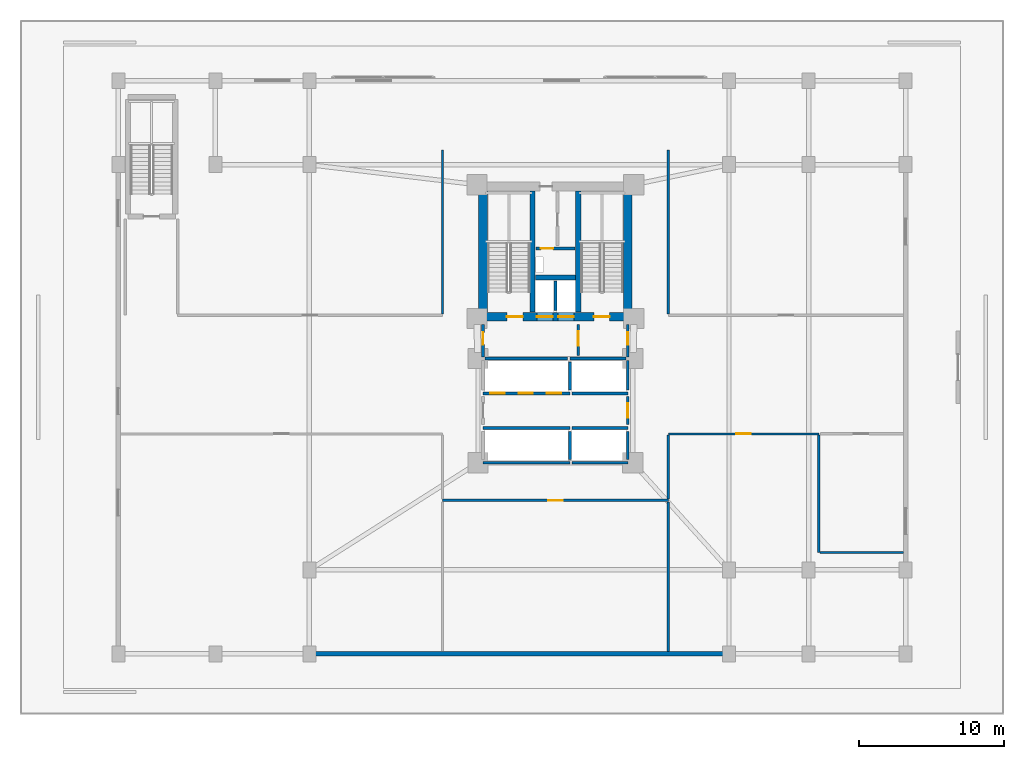
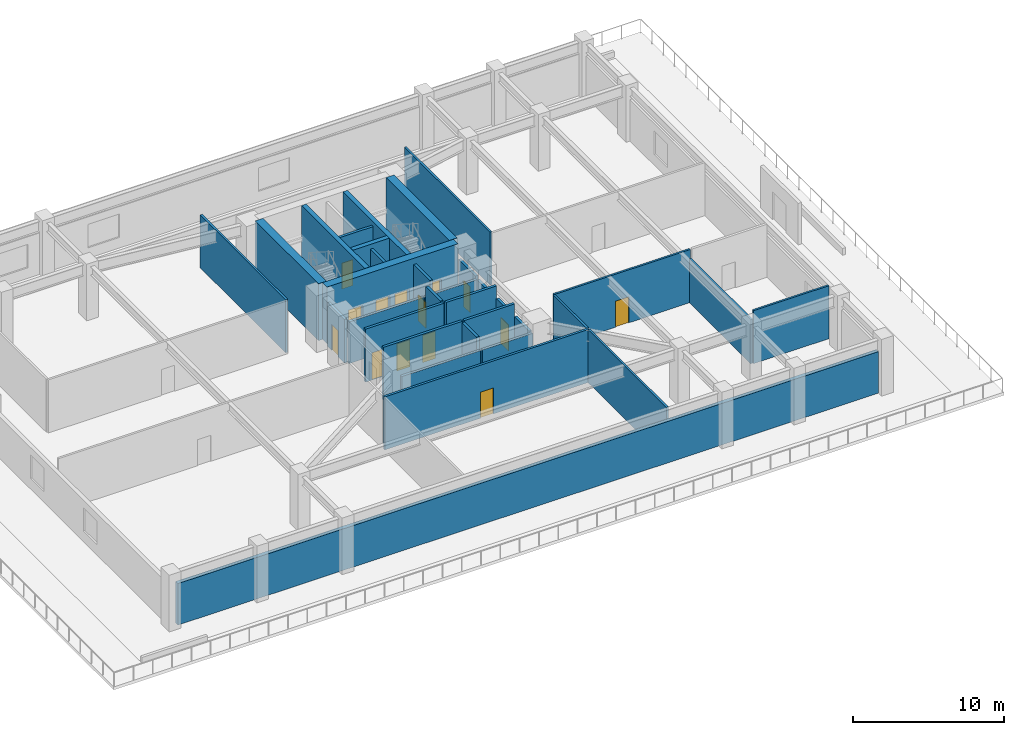
# One storey, part 6 of 10: 33 walls, 14 doors, 14 openings.
"""IFC4 building model written with IfcOpenShell, lengths in metres."""

from ifc_helpers import new_model, si_unit, direction, frame, frame_2d, origin, place, context, subcontext, project, spatial, rectangle, extrude, material, layer, layer_set, type_object, element, fill, save


model = new_model("IFC4")

# Units and contexts
model_context = context("Model", 3, precision=1e-05, world=origin(), true_north=direction((0.0, 1.0)))
body_context = subcontext(model_context, "Body", "Model", "MODEL_VIEW")
ifc_project = project(units=[si_unit("LENGTHUNIT", "METRE"), si_unit("AREAUNIT", "SQUARE_METRE"), si_unit("VOLUMEUNIT", "CUBIC_METRE"), si_unit("PLANEANGLEUNIT", "RADIAN"), si_unit("MASSUNIT", "GRAM", prefix="KILO")], contexts=[model_context])

# Site, building, storey
site_placement = place(None, origin())
site = spatial("IfcSite", under=ifc_project, at=site_placement, CompositionType="ELEMENT")
building_placement = place(site_placement, origin())
building = spatial("IfcBuilding", under=site, at=building_placement, Name="Varnakorn Sky Granary", CompositionType="ELEMENT")
storey_placement = place(building_placement, frame((0.0, 0.0, 9.199951171875)))
storey = spatial("IfcBuildingStorey", under=building, at=storey_placement, Name="L02", CompositionType="ELEMENT", Elevation=9.199951171875)

# Walls
ifc_material_1 = material(Name="Concrete C50/60", Category="concrete")
ifc_layer_1 = layer(ifc_material_1, 0.35009765625, Name="Concrete C50/60")
ifc_layer_set_1 = layer_set([ifc_layer_1], Name="Concrete C50/60")
wall_type_1 = type_object("IfcWallType", Name="WT-CW-INT-350", PredefinedType="SHEAR", material=ifc_layer_set_1)
for number, where, z_axis, x_axis, name in (
    (1, (1.419921875, 3.81005859375, 0.0), (0.0, 0.0, 1.0), (0.0, 1.0, 0.0), "Stair ST-1 Core Wall L02"),
    (2, (4.580078125, 3.81005859375, 0.0), (0.0, 0.0, 1.0), (0.0, 1.0, 0.0), "Stair ST-2 Core Wall L02"),
):
    element("IfcWall", number, at=place(storey_placement, frame(where, z_axis=z_axis, x_axis=x_axis)), inside=storey, type_object=wall_type_1, Name=name, PredefinedType="SHEAR", context=body_context, shape_type="SweptSolid", body=[
        extrude(rectangle(XDim=8.3798828125, YDim=0.35009765625, at=frame_2d((4.18994140625, 0.0))), origin(), (0.0, 0.0, 1.0), 4.592041015625),
    ])
wall_1_placement = place(storey_placement, frame((1.610107421875, 6.199951171875, 0.0), z_axis=(0.0, 0.0, 1.0), x_axis=(1.0, 0.0, 0.0)))
element("IfcWall", 3, at=wall_1_placement, inside=storey, type_object=wall_type_1, Name="Core Lift Shaft Cross Wall L02", PredefinedType="SHEAR", context=body_context, shape_type="SweptSolid", body=[
    extrude(rectangle(XDim=2.77978515625, YDim=0.35009765625, at=frame_2d((1.389892578125, 0.0))), origin(), (0.0, 0.0, 1.0), 4.592041015625),
])

# Wall, openings, doors
ifc_material_2 = material(Name="Concrete C60/75", Category="concrete")
ifc_layer_2 = layer(ifc_material_2, 0.60009765625, Name="Concrete C60/75")
ifc_layer_set_2 = layer_set([ifc_layer_2], Name="Concrete C60/75")
wall_type_2 = type_object("IfcWallType", Name="WT-CW-SHEAR-600", PredefinedType="SHEAR", material=ifc_layer_set_2)
wall_2_placement = place(storey_placement, frame((-2.0, 3.5, 0.0), z_axis=(0.0, 0.0, 1.0), x_axis=(1.0, 0.0, 0.0)))
wall_2 = element("IfcWall", 4, at=wall_2_placement, inside=storey, type_object=wall_type_2, Name="Core South Shear Wall L02", PredefinedType="SHEAR", context=body_context, shape_type="SweptSolid", body=[
    extrude(rectangle(XDim=10.0, YDim=0.60009765625, at=frame_2d((5.0, 0.0))), origin(), (0.0, 0.0, 1.0), 4.592041015625),
])
opening_1_placement = place(wall_2_placement, frame((1.64990234375, 0.0, 0.0)))
opening_1 = element("IfcOpeningElement", 5, at=opening_1_placement, cuts=wall_2, Name="Opening FD-90", PredefinedType="OPENING", context=body_context, shape_type="SweptSolid", body=[
    extrude(rectangle(XDim=1.10009765625, YDim=2.14990234375, at=frame_2d((0.550048828125, 1.074951171875))), frame((0.0, 0.31005859375, 0.0), z_axis=(0.0, -1.0, 0.0), x_axis=(1.0, 0.0, 0.0)), (0.0, 0.0, 1.0), 0.6201171875),
])
opening_2_placement = place(wall_2_placement, frame((7.64990234375, 0.0, 0.0)))
opening_2 = element("IfcOpeningElement", 6, at=opening_2_placement, cuts=wall_2, Name="Opening FD-90", PredefinedType="OPENING", context=body_context, shape_type="SweptSolid", body=[
    extrude(rectangle(XDim=1.10009765625, YDim=2.14990234375, at=frame_2d((0.550048828125, 1.074951171875))), frame((0.0, 0.31005859375, 0.0), z_axis=(0.0, -1.0, 0.0), x_axis=(1.0, 0.0, 0.0)), (0.0, 0.0, 1.0), 0.6201171875),
])
opening_3_placement = place(wall_2_placement, frame((3.719970703125, 0.0, 0.0)))
opening_3 = element("IfcOpeningElement", 7, at=opening_3_placement, cuts=wall_2, Name="Opening LD-01", PredefinedType="OPENING", context=body_context, shape_type="SweptSolid", body=[
    extrude(rectangle(XDim=1.10009765625, YDim=2.199951171875, at=frame_2d((0.550048828125, 1.10009765625))), frame((0.0, 0.31005859375, 0.0), z_axis=(0.0, -1.0, 0.0), x_axis=(1.0, 0.0, 0.0)), (0.0, 0.0, 1.0), 0.6201171875),
])
opening_4_placement = place(wall_2_placement, frame((5.179931640625, 0.0, 0.0)))
opening_4 = element("IfcOpeningElement", 8, at=opening_4_placement, cuts=wall_2, Name="Opening LD-01", PredefinedType="OPENING", context=body_context, shape_type="SweptSolid", body=[
    extrude(rectangle(XDim=1.10009765625, YDim=2.199951171875, at=frame_2d((0.550048828125, 1.10009765625))), frame((0.0, 0.31005859375, 0.0), z_axis=(0.0, -1.0, 0.0), x_axis=(1.0, 0.0, 0.0)), (0.0, 0.0, 1.0), 0.6201171875),
])
ifc_material_3 = material(Name="Brushed Bronze Stainless Steel", Category="steel")
door_type_1 = type_object("IfcDoorType", Name="DR-LD-1100", OperationType="DOUBLE_DOOR_SLIDING", PredefinedType="DOOR", material=ifc_material_3)
door_1_placement = place(opening_3_placement, origin())
door_1 = element("IfcDoor", 9, at=door_1_placement, inside=storey, type_object=door_type_1, Name="Firefighting Lift FFL-1 Landing Door L02", OperationType="DOUBLE_DOOR_SLIDING", OverallHeight=2.199951171875, OverallWidth=1.10009765625, PredefinedType="DOOR", context=body_context, shape_type="SweptSolid", body=[
    extrude(rectangle(XDim=1.10009765625, YDim=2.199951171875, at=frame_2d((0.550048828125, 1.10009765625))), frame((0.0, 0.02490234375, 0.0), z_axis=(0.0, -1.0, 0.0), x_axis=(1.0, 0.0, 0.0)), (0.0, 0.0, 1.0), 0.050048828125),
])
fill(opening_3, door_1)
door_2_placement = place(opening_4_placement, origin())
door_2 = element("IfcDoor", 10, at=door_2_placement, inside=storey, type_object=door_type_1, Name="Firefighting Lift FFL-2 Landing Door L02", OperationType="DOUBLE_DOOR_SLIDING", OverallHeight=2.199951171875, OverallWidth=1.10009765625, PredefinedType="DOOR", context=body_context, shape_type="SweptSolid", body=[
    extrude(rectangle(XDim=1.10009765625, YDim=2.199951171875, at=frame_2d((0.550048828125, 1.10009765625))), frame((0.0, 0.02490234375, 0.0), z_axis=(0.0, -1.0, 0.0), x_axis=(1.0, 0.0, 0.0)), (0.0, 0.0, 1.0), 0.050048828125),
])
fill(opening_4, door_2)
ifc_material_4 = material(Name="Galvanised Painted Steel Leaf", Category="steel")
door_type_2 = type_object("IfcDoorType", Name="DR-STAIR-1100", OperationType="NOTDEFINED", PredefinedType="DOOR", material=ifc_material_4)
door_3_placement = place(opening_1_placement, origin())
door_3 = element("IfcDoor", 11, at=door_3_placement, inside=storey, type_object=door_type_2, Name="Stair ST-1 Protected Fire Door L02", OperationType="SINGLE_SWING_LEFT", OverallHeight=2.14990234375, OverallWidth=1.10009765625, PredefinedType="DOOR", context=body_context, shape_type="SweptSolid", body=[
    extrude(rectangle(XDim=1.10009765625, YDim=2.14990234375, at=frame_2d((0.550048828125, 1.074951171875))), frame((0.0, 0.02490234375, 0.0), z_axis=(0.0, -1.0, 0.0), x_axis=(1.0, 0.0, 0.0)), (0.0, 0.0, 1.0), 0.050048828125),
])
fill(opening_1, door_3)
door_4_placement = place(opening_2_placement, origin())
door_4 = element("IfcDoor", 12, at=door_4_placement, inside=storey, type_object=door_type_2, Name="Stair ST-2 Protected Fire Door L02", OperationType="SINGLE_SWING_RIGHT", OverallHeight=2.14990234375, OverallWidth=1.10009765625, PredefinedType="DOOR", context=body_context, shape_type="SweptSolid", body=[
    extrude(rectangle(XDim=1.10009765625, YDim=2.14990234375, at=frame_2d((0.550048828125, 1.074951171875))), frame((0.0, 0.02490234375, 0.0), z_axis=(0.0, -1.0, 0.0), x_axis=(1.0, 0.0, 0.0)), (0.0, 0.0, 1.0), 0.050048828125),
])
fill(opening_2, door_4)

# Walls
for number, where, z_axis, x_axis, name in (
    (13, (-2.0, 3.81005859375, 0.0), (0.0, 0.0, 1.0), (0.0, 1.0, 0.0), "Core West Shear Wall L02"),
    (14, (8.0, 3.81005859375, 0.0), (0.0, 0.0, 1.0), (0.0, 1.0, 0.0), "Core East Shear Wall L02"),
):
    element("IfcWall", number, at=place(storey_placement, frame(where, z_axis=z_axis, x_axis=x_axis)), inside=storey, type_object=wall_type_2, Name=name, PredefinedType="SHEAR", context=body_context, shape_type="SweptSolid", body=[
        extrude(rectangle(XDim=8.3798828125, YDim=0.60009765625, at=frame_2d((4.18994140625, 0.0))), origin(), (0.0, 0.0, 1.0), 4.592041015625),
    ])
ifc_material_5 = material(Name="Precast concrete C40/50", Category="concrete")
ifc_layer_3 = layer(ifc_material_5, 0.300048828125, Name="Precast concrete C40/50")
ifc_layer_set_3 = layer_set([ifc_layer_3], Name="Precast concrete C40/50")
wall_type_3 = type_object("IfcWallType", Name="WT-EW-POD-300", PredefinedType="SOLIDWALL", material=ifc_layer_set_3)
wall_3_placement = place(storey_placement, frame((26.7548828125, -19.800048828125, 0.0), z_axis=(0.0, 0.0, 1.0), x_axis=(-1.0, 0.0, 0.0)))
element("IfcWall", 15, at=wall_3_placement, inside=storey, type_object=wall_type_3, Name="Podium Exterior Facade Wall L02-S", PredefinedType="SOLIDWALL", context=body_context, shape_type="SweptSolid", body=[
    extrude(rectangle(XDim=53.509765625, YDim=0.300048828125, at=frame_2d((26.7548828125, 0.0))), origin(), (0.0, 0.0, 1.0), 3.35009765625),
])

# Wall, opening, door
ifc_material_6 = material(Name="Autoclaved Aerated Concrete Blockwork", Category="masonry")
ifc_layer_4 = layer(ifc_material_6, 0.199951171875, Name="Autoclaved Aerated Concrete Blockwork")
ifc_layer_set_4 = layer_set([ifc_layer_4], Name="Autoclaved Aerated Concrete Blockwork")
wall_type_4 = type_object("IfcWallType", Name="WT-FIRE-200", PredefinedType="MOVABLE", material=ifc_layer_set_4)
wall_4_placement = place(storey_placement, frame((1.64990234375, 8.199951171875, 0.0), z_axis=(0.0, 0.0, 1.0), x_axis=(1.0, 0.0, 0.0)))
wall_4 = element("IfcWall", 16, at=wall_4_placement, inside=storey, type_object=wall_type_4, Name="Interior Partition Wall L02-015", PredefinedType="MOVABLE", context=body_context, shape_type="SweptSolid", body=[
    extrude(rectangle(XDim=2.7001953125, YDim=0.199951171875, at=frame_2d((1.35009765625, 0.0))), origin(), (0.0, 0.0, 1.0), 4.280029296875),
])
opening_5_placement = place(wall_4_placement, frame((0.35009765625, 0.0, 0.0)))
opening_5 = element("IfcOpeningElement", 17, at=opening_5_placement, cuts=wall_4, Name="Opening FD-60N", PredefinedType="OPENING", context=body_context, shape_type="SweptSolid", body=[
    extrude(rectangle(XDim=0.85009765625, YDim=2.10009765625, at=frame_2d((0.425048828125, 1.050048828125))), frame((0.0, 0.10986328125, 0.0), z_axis=(0.0, -1.0, 0.0), x_axis=(1.0, 0.0, 0.0)), (0.0, 0.0, 1.0), 0.219970703125),
])
ifc_material_7 = material(Name="Acoustic Timber Fire Leaf", Category="wood")
door_type_3 = type_object("IfcDoorType", Name="DR-FD60-850", OperationType="NOTDEFINED", PredefinedType="DOOR", material=ifc_material_7)
door_5_placement = place(opening_5_placement, origin())
door_5 = element("IfcDoor", 18, at=door_5_placement, inside=storey, type_object=door_type_3, Name="Interior Door L02-015-1", OperationType="SINGLE_SWING_LEFT", OverallHeight=2.10009765625, OverallWidth=0.85009765625, PredefinedType="DOOR", context=body_context, shape_type="SweptSolid", body=[
    extrude(rectangle(XDim=0.85009765625, YDim=2.10009765625, at=frame_2d((0.425048828125, 1.050048828125))), frame((0.0, 0.02490234375, 0.0), z_axis=(0.0, -1.0, 0.0), x_axis=(1.0, 0.0, 0.0)), (0.0, 0.0, 1.0), 0.050048828125),
])
fill(opening_5, door_5)

wall_5_placement = place(storey_placement, frame((4.580078125, 0.830078125, 0.0), z_axis=(0.0, 0.0, 1.0), x_axis=(0.0, 1.0, 0.0)))
wall_5 = element("IfcWall", 19, at=wall_5_placement, inside=storey, type_object=wall_type_4, Name="Interior Partition Wall L02-017", PredefinedType="MOVABLE", context=body_context, shape_type="SweptSolid", body=[
    extrude(rectangle(XDim=2.139892578125, YDim=0.199951171875, at=frame_2d((1.06982421875, 0.0))), origin(), (0.0, 0.0, 1.0), 4.280029296875),
])
opening_6_placement = place(wall_5_placement, frame((0.659912109375, 0.0, 0.0)))
opening_6 = element("IfcOpeningElement", 20, at=opening_6_placement, cuts=wall_5, Name="Opening FD-60", PredefinedType="OPENING", context=body_context, shape_type="SweptSolid", body=[
    extrude(rectangle(XDim=1.0, YDim=2.10009765625, at=frame_2d((0.5, 1.050048828125))), frame((0.0, 0.10986328125, 0.0), z_axis=(0.0, -1.0, 0.0), x_axis=(1.0, 0.0, 0.0)), (0.0, 0.0, 1.0), 0.219970703125),
])
door_type_4 = type_object("IfcDoorType", Name="DR-FD60-1000", OperationType="NOTDEFINED", PredefinedType="DOOR", material=ifc_material_7)
door_6_placement = place(opening_6_placement, origin())
door_6 = element("IfcDoor", 21, at=door_6_placement, inside=storey, type_object=door_type_4, Name="Interior Door L02-017-1", OperationType="SINGLE_SWING_LEFT", OverallHeight=2.10009765625, OverallWidth=1.0, PredefinedType="DOOR", context=body_context, shape_type="SweptSolid", body=[
    extrude(rectangle(XDim=1.0, YDim=2.10009765625, at=frame_2d((0.5, 1.050048828125))), frame((0.0, 0.02490234375, 0.0), z_axis=(0.0, -1.0, 0.0), x_axis=(1.0, 0.0, 0.0)), (0.0, 0.0, 1.0), 0.050048828125),
])
fill(opening_6, door_6)

wall_6_placement = place(storey_placement, frame((-2.0, 0.719970703125, 0.0), z_axis=(0.0, 0.0, 1.0), x_axis=(0.0, 1.0, 0.0)))
wall_6 = element("IfcWall", 22, at=wall_6_placement, inside=storey, type_object=wall_type_4, Name="Interior Partition Wall L02-018", PredefinedType="MOVABLE", context=body_context, shape_type="SweptSolid", body=[
    extrude(rectangle(XDim=2.25, YDim=0.199951171875, at=frame_2d((1.125, 0.0))), origin(), (0.0, 0.0, 1.0), 3.511962890625),
])
opening_7_placement = place(wall_6_placement, frame((0.844970703125, 0.0, 0.0)))
opening_7 = element("IfcOpeningElement", 23, at=opening_7_placement, cuts=wall_6, Name="Opening FD-60N", PredefinedType="OPENING", context=body_context, shape_type="SweptSolid", body=[
    extrude(rectangle(XDim=0.85009765625, YDim=2.10009765625, at=frame_2d((0.425048828125, 1.050048828125))), frame((0.0, 0.10986328125, 0.0), z_axis=(0.0, -1.0, 0.0), x_axis=(1.0, 0.0, 0.0)), (0.0, 0.0, 1.0), 0.219970703125),
])
door_7_placement = place(opening_7_placement, origin())
door_7 = element("IfcDoor", 24, at=door_7_placement, inside=storey, type_object=door_type_3, Name="Interior Door L02-018-1", OperationType="SINGLE_SWING_RIGHT", OverallHeight=2.10009765625, OverallWidth=0.85009765625, PredefinedType="DOOR", context=body_context, shape_type="SweptSolid", body=[
    extrude(rectangle(XDim=0.85009765625, YDim=2.10009765625, at=frame_2d((0.425048828125, 1.050048828125))), frame((0.0, 0.02490234375, 0.0), z_axis=(0.0, -1.0, 0.0), x_axis=(1.0, 0.0, 0.0)), (0.0, 0.0, 1.0), 0.050048828125),
])
fill(opening_7, door_7)

wall_7_placement = place(storey_placement, frame((8.0, 0.719970703125, 0.0), z_axis=(0.0, 0.0, 1.0), x_axis=(0.0, 1.0, 0.0)))
wall_7 = element("IfcWall", 25, at=wall_7_placement, inside=storey, type_object=wall_type_4, Name="Interior Partition Wall L02-019", PredefinedType="MOVABLE", context=body_context, shape_type="SweptSolid", body=[
    extrude(rectangle(XDim=2.25, YDim=0.199951171875, at=frame_2d((1.125, 0.0))), origin(), (0.0, 0.0, 1.0), 3.511962890625),
])
opening_8_placement = place(wall_7_placement, frame((0.844970703125, 0.0, 0.0)))
opening_8 = element("IfcOpeningElement", 26, at=opening_8_placement, cuts=wall_7, Name="Opening FD-60N", PredefinedType="OPENING", context=body_context, shape_type="SweptSolid", body=[
    extrude(rectangle(XDim=0.85009765625, YDim=2.10009765625, at=frame_2d((0.425048828125, 1.050048828125))), frame((0.0, 0.10986328125, 0.0), z_axis=(0.0, -1.0, 0.0), x_axis=(1.0, 0.0, 0.0)), (0.0, 0.0, 1.0), 0.219970703125),
])
door_8_placement = place(opening_8_placement, origin())
door_8 = element("IfcDoor", 27, at=door_8_placement, inside=storey, type_object=door_type_3, Name="Interior Door L02-019-1", OperationType="SINGLE_SWING_LEFT", OverallHeight=2.10009765625, OverallWidth=0.85009765625, PredefinedType="DOOR", context=body_context, shape_type="SweptSolid", body=[
    extrude(rectangle(XDim=0.85009765625, YDim=2.10009765625, at=frame_2d((0.425048828125, 1.050048828125))), frame((0.0, 0.02490234375, 0.0), z_axis=(0.0, -1.0, 0.0), x_axis=(1.0, 0.0, 0.0)), (0.0, 0.0, 1.0), 0.050048828125),
])
fill(opening_8, door_8)

wall_8_placement = place(storey_placement, frame((8.0, -3.969970703125, 0.0), z_axis=(0.0, 0.0, 1.0), x_axis=(0.0, 1.0, 0.0)))
wall_8 = element("IfcWall", 28, at=wall_8_placement, inside=storey, type_object=wall_type_4, Name="Interior Partition Wall L02-021", PredefinedType="MOVABLE", context=body_context, shape_type="SweptSolid", body=[
    extrude(rectangle(XDim=1.93994140625, YDim=0.199951171875, at=frame_2d((0.969970703125, 0.0))), origin(), (0.0, 0.0, 1.0), 3.362060546875),
])
opening_9_placement = place(wall_8_placement, frame((0.469970703125, 0.0, 0.0)))
opening_9 = element("IfcOpeningElement", 29, at=opening_9_placement, cuts=wall_8, Name="Opening FD-60", PredefinedType="OPENING", context=body_context, shape_type="SweptSolid", body=[
    extrude(rectangle(XDim=1.0, YDim=2.10009765625, at=frame_2d((0.5, 1.050048828125))), frame((0.0, 0.10986328125, 0.0), z_axis=(0.0, -1.0, 0.0), x_axis=(1.0, 0.0, 0.0)), (0.0, 0.0, 1.0), 0.219970703125),
])
door_9_placement = place(opening_9_placement, origin())
door_9 = element("IfcDoor", 30, at=door_9_placement, inside=storey, type_object=door_type_4, Name="Interior Door L02-021-1", OperationType="SINGLE_SWING_LEFT", OverallHeight=2.10009765625, OverallWidth=1.0, PredefinedType="DOOR", context=body_context, shape_type="SweptSolid", body=[
    extrude(rectangle(XDim=1.0, YDim=2.10009765625, at=frame_2d((0.5, 1.050048828125))), frame((0.0, 0.02490234375, 0.0), z_axis=(0.0, -1.0, 0.0), x_axis=(1.0, 0.0, 0.0)), (0.0, 0.0, 1.0), 0.050048828125),
])
fill(opening_9, door_9)

# Wall
wall_9_placement = place(storey_placement, frame((-1.8798828125, 0.60009765625, 0.0), z_axis=(0.0, 0.0, 1.0), x_axis=(1.0, 0.0, 0.0)))
element("IfcWall", 31, at=wall_9_placement, inside=storey, type_object=wall_type_4, Name="Interior Partition Wall L02-028", PredefinedType="MOVABLE", context=body_context, shape_type="SweptSolid", body=[
    extrude(rectangle(XDim=5.719970703125, YDim=0.199951171875, at=frame_2d((2.85986328125, 0.0))), origin(), (0.0, 0.0, 1.0), 3.362060546875),
])

# Wall, opening, door
ifc_material_8 = material(Name="Gypsum Plasterboard on Steel Stud", Category="steel")
ifc_layer_5 = layer(ifc_material_8, 0.14990234375, Name="Gypsum Plasterboard on Steel Stud")
ifc_layer_set_5 = layer_set([ifc_layer_5], Name="Gypsum Plasterboard on Steel Stud")
wall_type_5 = type_object("IfcWallType", Name="WT-PART-150", PredefinedType="PARTITIONING", material=ifc_layer_set_5)
wall_10_placement = place(storey_placement, frame((10.800048828125, -4.60009765625, 0.0), z_axis=(0.0, 0.0, 1.0), x_axis=(1.0, 0.0, 0.0)))
wall_10 = element("IfcWall", 32, at=wall_10_placement, inside=storey, type_object=wall_type_5, Name="Interior Partition Wall L02-025", PredefinedType="PARTITIONING", context=body_context, shape_type="SweptSolid", body=[
    extrude(rectangle(XDim=10.39990234375, YDim=0.14990234375, at=frame_2d((5.199951171875, 0.0))), origin(), (0.0, 0.0, 1.0), 4.280029296875),
])
opening_10_placement = place(wall_10_placement, frame((4.699951171875, 0.0, 0.0)))
opening_10 = element("IfcOpeningElement", 33, at=opening_10_placement, cuts=wall_10, Name="Opening ID-100", PredefinedType="OPENING", context=body_context, shape_type="SweptSolid", body=[
    extrude(rectangle(XDim=1.0, YDim=2.10009765625, at=frame_2d((0.5, 1.050048828125))), frame((0.0, 0.0849609375, 0.0), z_axis=(0.0, -1.0, 0.0), x_axis=(1.0, 0.0, 0.0)), (0.0, 0.0, 1.0), 0.169921875),
])
ifc_material_9 = material(Name="Solid-Core Teak Veneer Leaf", Category="timber")
door_type_5 = type_object("IfcDoorType", Name="DR-INT-1000", OperationType="NOTDEFINED", PredefinedType="DOOR", material=ifc_material_9)
door_10_placement = place(opening_10_placement, origin())
door_10 = element("IfcDoor", 34, at=door_10_placement, inside=storey, type_object=door_type_5, Name="Interior Door L02-025-1", OperationType="SINGLE_SWING_LEFT", OverallHeight=2.10009765625, OverallWidth=1.0, PredefinedType="DOOR", context=body_context, shape_type="SweptSolid", body=[
    extrude(rectangle(XDim=1.0, YDim=2.10009765625, at=frame_2d((0.5, 1.050048828125))), frame((0.0, 0.02490234375, 0.0), z_axis=(0.0, -1.0, 0.0), x_axis=(1.0, 0.0, 0.0)), (0.0, 0.0, 1.0), 0.050048828125),
])
fill(opening_10, door_10)

# Walls
for number, where, z_axis, x_axis, name in (
    (35, (-4.800048828125, 15.0, 0.0), (0.0, 0.0, 1.0), (0.0, -1.0, 0.0), "Interior Partition Wall L02-029"),
    (36, (10.800048828125, 3.68505859375, 0.0), (0.0, 0.0, 1.0), (0.0, 1.0, 0.0), "Interior Partition Wall L02-032"),
):
    element("IfcWall", number, at=place(storey_placement, frame(where, z_axis=z_axis, x_axis=x_axis)), inside=storey, type_object=wall_type_5, Name=name, PredefinedType="PARTITIONING", context=body_context, shape_type="SweptSolid", body=[
        extrude(rectangle(XDim=11.31494140625, YDim=0.14990234375, at=frame_2d((5.657470703125, 0.0))), origin(), (0.0, 0.0, 1.0), 4.280029296875),
    ])
wall_11_placement = place(storey_placement, frame((10.800048828125, -9.10009765625, 0.0), z_axis=(0.0, 0.0, 1.0), x_axis=(0.0, 1.0, 0.0)))
element("IfcWall", 37, at=wall_11_placement, inside=storey, type_object=wall_type_5, Name="Interior Partition Wall L02-034", PredefinedType="PARTITIONING", context=body_context, shape_type="SweptSolid", body=[
    extrude(rectangle(XDim=4.4150390625, YDim=0.14990234375, at=frame_2d((2.20751953125, 0.0))), origin(), (0.0, 0.0, 1.0), 4.280029296875),
])
wall_12_placement = place(storey_placement, frame((21.199951171875, -4.68505859375, 0.0), z_axis=(0.0, 0.0, 1.0), x_axis=(0.0, -1.0, 0.0)))
element("IfcWall", 38, at=wall_12_placement, inside=storey, type_object=wall_type_5, Name="Interior Partition Wall L02-036", PredefinedType="PARTITIONING", context=body_context, shape_type="SweptSolid", body=[
    extrude(rectangle(XDim=8.114990234375, YDim=0.14990234375, at=frame_2d((4.0576171875, 0.0))), origin(), (0.0, 0.0, 1.0), 3.56201171875),
])
wall_13_placement = place(storey_placement, frame((21.284912109375, -12.800048828125, 0.0), z_axis=(0.0, 0.0, 1.0), x_axis=(1.0, 0.0, 0.0)))
element("IfcWall", 39, at=wall_13_placement, inside=storey, type_object=wall_type_5, Name="Interior Partition Wall L02-037", PredefinedType="PARTITIONING", context=body_context, shape_type="SweptSolid", body=[
    extrude(rectangle(XDim=5.76513671875, YDim=0.14990234375, at=frame_2d((2.882568359375, 0.0))), origin(), (0.0, 0.0, 1.0), 4.280029296875),
])
wall_14_placement = place(storey_placement, frame((10.800048828125, -19.64990234375, 0.0), z_axis=(0.0, 0.0, 1.0), x_axis=(0.0, 1.0, 0.0)))
element("IfcWall", 40, at=wall_14_placement, inside=storey, type_object=wall_type_5, Name="Interior Partition Wall L02-038", PredefinedType="PARTITIONING", context=body_context, shape_type="SweptSolid", body=[
    extrude(rectangle(XDim=10.349853515625, YDim=0.14990234375, at=frame_2d((5.1748046875, 0.0))), origin(), (0.0, 0.0, 1.0), 4.280029296875),
])

# Wall, opening, door
ifc_material_10 = material(Name="Moisture-Resistant Gypsum on Stud", Category="gypsum")
ifc_layer_6 = layer(ifc_material_10, 0.179931640625, Name="Moisture-Resistant Gypsum on Stud")
ifc_layer_set_6 = layer_set([ifc_layer_6], Name="Moisture-Resistant Gypsum on Stud")
wall_type_6 = type_object("IfcWallType", Name="WT-PLUMB-180", PredefinedType="PLUMBINGWALL", material=ifc_layer_set_6)
wall_15_placement = place(storey_placement, frame((-4.800048828125, -9.199951171875, 0.0), z_axis=(0.0, 0.0, 1.0), x_axis=(1.0, 0.0, 0.0)))
wall_15 = element("IfcWall", 41, at=wall_15_placement, inside=storey, type_object=wall_type_6, Name="Interior Partition Wall L02-027", PredefinedType="PLUMBINGWALL", context=body_context, shape_type="SweptSolid", body=[
    extrude(rectangle(XDim=15.60009765625, YDim=0.179931640625, at=frame_2d((7.800048828125, 0.0))), origin(), (0.0, 0.0, 1.0), 4.280029296875),
])
opening_11_placement = place(wall_15_placement, frame((7.300048828125, 0.0, 0.0)))
opening_11 = element("IfcOpeningElement", 42, at=opening_11_placement, cuts=wall_15, Name="Opening ID-100", PredefinedType="OPENING", context=body_context, shape_type="SweptSolid", body=[
    extrude(rectangle(XDim=1.0, YDim=2.10009765625, at=frame_2d((0.5, 1.050048828125))), frame((0.0, 0.10009765625, 0.0), z_axis=(0.0, -1.0, 0.0), x_axis=(1.0, 0.0, 0.0)), (0.0, 0.0, 1.0), 0.199951171875),
])
door_11_placement = place(opening_11_placement, origin())
door_11 = element("IfcDoor", 43, at=door_11_placement, inside=storey, type_object=door_type_5, Name="Interior Door L02-027-1", OperationType="SINGLE_SWING_LEFT", OverallHeight=2.10009765625, OverallWidth=1.0, PredefinedType="DOOR", context=body_context, shape_type="SweptSolid", body=[
    extrude(rectangle(XDim=1.0, YDim=2.10009765625, at=frame_2d((0.5, 1.050048828125))), frame((0.0, 0.02490234375, 0.0), z_axis=(0.0, -1.0, 0.0), x_axis=(1.0, 0.0, 0.0)), (0.0, 0.0, 1.0), 0.050048828125),
])
fill(opening_11, door_11)

# Walls
ifc_layer_7 = layer(ifc_material_6, 0.199951171875, Name="Autoclaved Aerated Concrete Blockwork")
ifc_layer_set_7 = layer_set([ifc_layer_7], Name="Autoclaved Aerated Concrete Blockwork")
wall_type_7 = type_object("IfcWallType", Name="WT-SHAFT-200", PredefinedType="SOLIDWALL", material=ifc_layer_set_7)
wall_16_placement = place(storey_placement, frame((3.0, 3.919921875, 0.0), z_axis=(0.0, 0.0, 1.0), x_axis=(0.0, 1.0, 0.0)))
element("IfcWall", 44, at=wall_16_placement, inside=storey, type_object=wall_type_7, Name="Interior Partition Wall L02-001", PredefinedType="SOLIDWALL", context=body_context, shape_type="SweptSolid", body=[
    extrude(rectangle(XDim=2.030029296875, YDim=0.199951171875, at=frame_2d((1.01513671875, 0.0))), origin(), (0.0, 0.0, 1.0), 4.280029296875),
])
wall_17_placement = place(storey_placement, frame((4.0, 0.60009765625, 0.0), z_axis=(0.0, 0.0, 1.0), x_axis=(1.0, 0.0, 0.0)))
element("IfcWall", 45, at=wall_17_placement, inside=storey, type_object=wall_type_7, Name="Interior Partition Wall L02-002", PredefinedType="SOLIDWALL", context=body_context, shape_type="SweptSolid", body=[
    extrude(rectangle(XDim=3.8798828125, YDim=0.199951171875, at=frame_2d((1.93994140625, 0.0))), origin(), (0.0, 0.0, 1.0), 3.362060546875),
])

# Wall, openings, doors
wall_18_placement = place(storey_placement, frame((-2.0, -1.800048828125, 0.0), z_axis=(0.0, 0.0, 1.0), x_axis=(1.0, 0.0, 0.0)))
wall_18 = element("IfcWall", 46, at=wall_18_placement, inside=storey, type_object=wall_type_7, Name="Interior Partition Wall L02-003", PredefinedType="SOLIDWALL", context=body_context, shape_type="SweptSolid", body=[
    extrude(rectangle(XDim=6.0, YDim=0.199951171875, at=frame_2d((3.0, 0.0))), origin(), (0.0, 0.0, 1.0), 4.280029296875),
])
opening_12_placement = place(wall_18_placement, frame((0.5, 0.0, 0.0)))
opening_12 = element("IfcOpeningElement", 47, at=opening_12_placement, cuts=wall_18, Name="Opening LD-03", PredefinedType="OPENING", context=body_context, shape_type="SweptSolid", body=[
    extrude(rectangle(XDim=1.0, YDim=2.199951171875, at=frame_2d((0.5, 1.10009765625))), frame((0.0, 0.10986328125, 0.0), z_axis=(0.0, -1.0, 0.0), x_axis=(1.0, 0.0, 0.0)), (0.0, 0.0, 1.0), 0.219970703125),
])
opening_13_placement = place(wall_18_placement, frame((2.449951171875, 0.0, 0.0)))
opening_13 = element("IfcOpeningElement", 48, at=opening_13_placement, cuts=wall_18, Name="Opening LD-03", PredefinedType="OPENING", context=body_context, shape_type="SweptSolid", body=[
    extrude(rectangle(XDim=1.0, YDim=2.199951171875, at=frame_2d((0.5, 1.10009765625))), frame((0.0, 0.10986328125, 0.0), z_axis=(0.0, -1.0, 0.0), x_axis=(1.0, 0.0, 0.0)), (0.0, 0.0, 1.0), 0.219970703125),
])
opening_14_placement = place(wall_18_placement, frame((4.39990234375, 0.0, 0.0)))
opening_14 = element("IfcOpeningElement", 49, at=opening_14_placement, cuts=wall_18, Name="Opening LD-03", PredefinedType="OPENING", context=body_context, shape_type="SweptSolid", body=[
    extrude(rectangle(XDim=1.0, YDim=2.199951171875, at=frame_2d((0.5, 1.10009765625))), frame((0.0, 0.10986328125, 0.0), z_axis=(0.0, -1.0, 0.0), x_axis=(1.0, 0.0, 0.0)), (0.0, 0.0, 1.0), 0.219970703125),
])
door_type_6 = type_object("IfcDoorType", Name="DR-LD-1000", OperationType="DOUBLE_DOOR_SLIDING", PredefinedType="DOOR", material=ifc_material_3)
door_12_placement = place(opening_12_placement, origin())
door_12 = element("IfcDoor", 50, at=door_12_placement, inside=storey, type_object=door_type_6, Name="Passenger Lift PL-L1 Sliding Landing Door L02", OperationType="DOUBLE_DOOR_SLIDING", OverallHeight=2.199951171875, OverallWidth=1.0, PredefinedType="DOOR", context=body_context, shape_type="SweptSolid", body=[
    extrude(rectangle(XDim=1.0, YDim=2.199951171875, at=frame_2d((0.5, 1.10009765625))), frame((0.0, 0.02490234375, 0.0), z_axis=(0.0, -1.0, 0.0), x_axis=(1.0, 0.0, 0.0)), (0.0, 0.0, 1.0), 0.050048828125),
])
fill(opening_12, door_12)
door_13_placement = place(opening_13_placement, origin())
door_13 = element("IfcDoor", 51, at=door_13_placement, inside=storey, type_object=door_type_6, Name="Passenger Lift PL-L2 Sliding Landing Door L02", OperationType="DOUBLE_DOOR_SLIDING", OverallHeight=2.199951171875, OverallWidth=1.0, PredefinedType="DOOR", context=body_context, shape_type="SweptSolid", body=[
    extrude(rectangle(XDim=1.0, YDim=2.199951171875, at=frame_2d((0.5, 1.10009765625))), frame((0.0, 0.02490234375, 0.0), z_axis=(0.0, -1.0, 0.0), x_axis=(1.0, 0.0, 0.0)), (0.0, 0.0, 1.0), 0.050048828125),
])
fill(opening_13, door_13)
door_14_placement = place(opening_14_placement, origin())
door_14 = element("IfcDoor", 52, at=door_14_placement, inside=storey, type_object=door_type_6, Name="Passenger Lift PL-L3 Sliding Landing Door L02", OperationType="DOUBLE_DOOR_SLIDING", OverallHeight=2.199951171875, OverallWidth=1.0, PredefinedType="DOOR", context=body_context, shape_type="SweptSolid", body=[
    extrude(rectangle(XDim=1.0, YDim=2.199951171875, at=frame_2d((0.5, 1.10009765625))), frame((0.0, 0.02490234375, 0.0), z_axis=(0.0, -1.0, 0.0), x_axis=(1.0, 0.0, 0.0)), (0.0, 0.0, 1.0), 0.050048828125),
])
fill(opening_14, door_14)

# Walls
wall_19_placement = place(storey_placement, frame((4.159912109375, -1.800048828125, 0.0), z_axis=(0.0, 0.0, 1.0), x_axis=(1.0, 0.0, 0.0)))
element("IfcWall", 53, at=wall_19_placement, inside=storey, type_object=wall_type_7, Name="Interior Partition Wall L02-005", PredefinedType="SOLIDWALL", context=body_context, shape_type="SweptSolid", body=[
    extrude(rectangle(XDim=3.840087890625, YDim=0.199951171875, at=frame_2d((1.919921875, 0.0))), origin(), (0.0, 0.0, 1.0), 4.280029296875),
])
wall_20_placement = place(storey_placement, frame((4.0, -1.570068359375, 0.0), z_axis=(0.0, 0.0, 1.0), x_axis=(0.0, 1.0, 0.0)))
element("IfcWall", 54, at=wall_20_placement, inside=storey, type_object=wall_type_7, Name="Interior Partition Wall L02-006", PredefinedType="SOLIDWALL", context=body_context, shape_type="SweptSolid", body=[
    extrude(rectangle(XDim=1.940185546875, YDim=0.199951171875, at=frame_2d((0.97021484375, 0.0))), origin(), (0.0, 0.0, 1.0), 4.280029296875),
])
wall_21_placement = place(storey_placement, frame((8.0, -1.570068359375, 0.0), z_axis=(0.0, 0.0, 1.0), x_axis=(0.0, 1.0, 0.0)))
element("IfcWall", 55, at=wall_21_placement, inside=storey, type_object=wall_type_7, Name="Interior Partition Wall L02-007", PredefinedType="SOLIDWALL", context=body_context, shape_type="SweptSolid", body=[
    extrude(rectangle(XDim=2.050048828125, YDim=0.199951171875, at=frame_2d((1.02490234375, 0.0))), origin(), (0.0, 0.0, 1.0), 3.362060546875),
])
wall_22_placement = place(storey_placement, frame((-2.0, -4.199951171875, 0.0), z_axis=(0.0, 0.0, 1.0), x_axis=(1.0, 0.0, 0.0)))
element("IfcWall", 56, at=wall_22_placement, inside=storey, type_object=wall_type_7, Name="Interior Partition Wall L02-008", PredefinedType="SOLIDWALL", context=body_context, shape_type="SweptSolid", body=[
    extrude(rectangle(XDim=6.0, YDim=0.199951171875, at=frame_2d((3.0, 0.0))), origin(), (0.0, 0.0, 1.0), 4.280029296875),
])
wall_23_placement = place(storey_placement, frame((-2.0, -6.60009765625, 0.0), z_axis=(0.0, 0.0, 1.0), x_axis=(1.0, 0.0, 0.0)))
element("IfcWall", 57, at=wall_23_placement, inside=storey, type_object=wall_type_7, Name="Interior Partition Wall L02-009", PredefinedType="SOLIDWALL", context=body_context, shape_type="SweptSolid", body=[
    extrude(rectangle(XDim=6.0, YDim=0.199951171875, at=frame_2d((3.0, 0.0))), origin(), (0.0, 0.0, 1.0), 3.362060546875),
])
wall_24_placement = place(storey_placement, frame((4.159912109375, -4.199951171875, 0.0), z_axis=(0.0, 0.0, 1.0), x_axis=(1.0, 0.0, 0.0)))
element("IfcWall", 58, at=wall_24_placement, inside=storey, type_object=wall_type_7, Name="Interior Partition Wall L02-011", PredefinedType="SOLIDWALL", context=body_context, shape_type="SweptSolid", body=[
    extrude(rectangle(XDim=3.840087890625, YDim=0.199951171875, at=frame_2d((1.919921875, 0.0))), origin(), (0.0, 0.0, 1.0), 4.280029296875),
])
wall_25_placement = place(storey_placement, frame((4.159912109375, -6.60009765625, 0.0), z_axis=(0.0, 0.0, 1.0), x_axis=(1.0, 0.0, 0.0)))
element("IfcWall", 59, at=wall_25_placement, inside=storey, type_object=wall_type_7, Name="Interior Partition Wall L02-012", PredefinedType="SOLIDWALL", context=body_context, shape_type="SweptSolid", body=[
    extrude(rectangle(XDim=3.840087890625, YDim=0.199951171875, at=frame_2d((1.919921875, 0.0))), origin(), (0.0, 0.0, 1.0), 3.362060546875),
])
wall_26_placement = place(storey_placement, frame((4.0, -6.3701171875, 0.0), z_axis=(0.0, 0.0, 1.0), x_axis=(0.0, 1.0, 0.0)))
element("IfcWall", 60, at=wall_26_placement, inside=storey, type_object=wall_type_7, Name="Interior Partition Wall L02-013", PredefinedType="SOLIDWALL", context=body_context, shape_type="SweptSolid", body=[
    extrude(rectangle(XDim=1.940185546875, YDim=0.199951171875, at=frame_2d((0.97021484375, 0.0))), origin(), (0.0, 0.0, 1.0), 4.280029296875),
])
wall_27_placement = place(storey_placement, frame((8.0, -6.3701171875, 0.0), z_axis=(0.0, 0.0, 1.0), x_axis=(0.0, 1.0, 0.0)))
element("IfcWall", 61, at=wall_27_placement, inside=storey, type_object=wall_type_7, Name="Interior Partition Wall L02-014", PredefinedType="SOLIDWALL", context=body_context, shape_type="SweptSolid", body=[
    extrude(rectangle(XDim=1.940185546875, YDim=0.199951171875, at=frame_2d((0.97021484375, 0.0))), origin(), (0.0, 0.0, 1.0), 3.362060546875),
])

save(model, "model.ifc")
